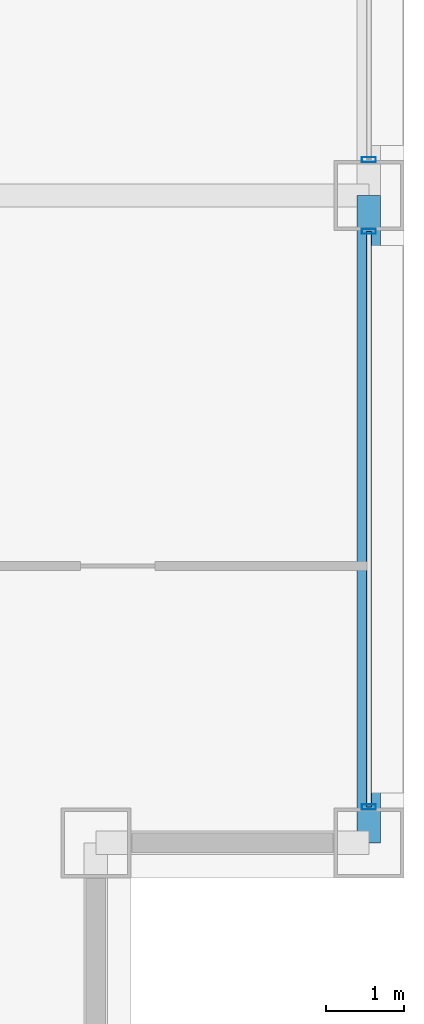
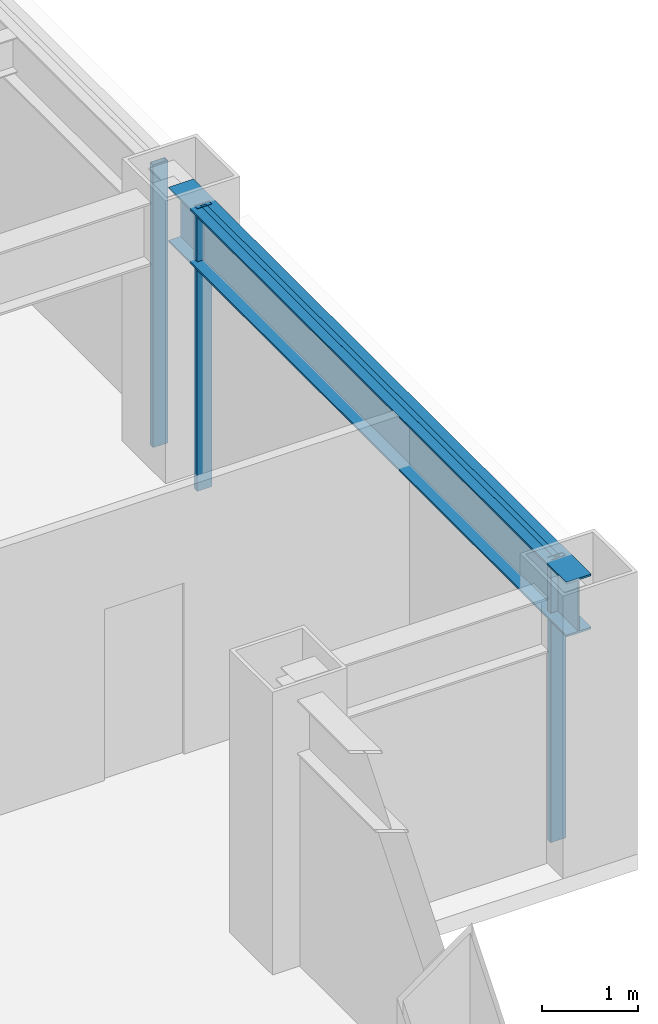
# One storey, part 12 of 30: 4 members, 1 beam, 2 elements without a shape of their own.
"""IFC4 building model written with IfcOpenShell, lengths in metres."""

from ifc_helpers import new_model, si_unit, direction, frame, origin, origin_2d, place, context, subcontext, project, spatial, hollow_rectangle, i_section, extrude, material, layer, layer_set, material_profile, profile_set, type_object, element, aggregate, save


model = new_model("IFC4")

# Units and contexts
model_context = context("Model", 3, precision=1e-05, world=origin(), true_north=direction((0.0, 1.0)))
body_context = subcontext(model_context, "Body", "Model", "MODEL_VIEW")
ifc_project = project(units=[si_unit("LENGTHUNIT", "METRE"), si_unit("AREAUNIT", "SQUARE_METRE"), si_unit("VOLUMEUNIT", "CUBIC_METRE"), si_unit("PLANEANGLEUNIT", "RADIAN"), si_unit("MASSUNIT", "GRAM", prefix="KILO")], contexts=[model_context])

# Site, building, storey
site_placement = place(None, origin())
site = spatial("IfcSite", under=ifc_project, at=site_placement, CompositionType="ELEMENT")
building_placement = place(site_placement, origin())
building = spatial("IfcBuilding", under=site, at=building_placement, Name="Brelmoor Portico Tower", CompositionType="ELEMENT")
storey_placement = place(building_placement, frame((0.0, 0.0, 74.39990234375)))
storey = spatial("IfcBuildingStorey", under=building, at=storey_placement, Name="L19", CompositionType="ELEMENT", Elevation=74.39990234375)

# Beam
ifc_material_1 = material(Name="Steel Q355B", Category="steel")
ifc_material_profile_1 = material_profile(ifc_material_1, i_section(OverallWidth=0.300048828125, OverallDepth=0.699951171875, WebThickness=0.012939453125, FlangeThickness=0.02392578125, at=origin_2d()), Name="HN 700x300x13x24")
ifc_profile_set_1 = profile_set([ifc_material_profile_1], Name="Steel Q355B")
beam_type = type_object("IfcBeamType", Name="BM-SP-700", PredefinedType="SPANDREL", material=ifc_profile_set_1)
beam_placement = place(storey_placement, frame((24.550048828125, -18.050048828125, 3.050048828125), z_axis=(0.0, 1.0, 0.0), x_axis=(-1.0, 0.0, 0.0)))
element("IfcBeam", 1, at=beam_placement, inside=storey, type_object=beam_type, Name="L19 Perimeter Spandrel Beam SP-22", PredefinedType="SPANDREL", context=body_context, shape_type="SweptSolid", body=[
    extrude(i_section(OverallWidth=0.300048828125, OverallDepth=0.699951171875, WebThickness=0.012939453125, FlangeThickness=0.02392578125, at=origin_2d()), origin(), (0.0, 0.0, 1.0), 8.300048828125),
])

# Curtain wall, members
ifc_material_2 = material(Name="Anodised Aluminium Alloy 6063-T6", Category="aluminium")
ifc_layer = layer(ifc_material_2, 0.179931640625)
ifc_layer_set = layer_set([ifc_layer], Name="Anodised Aluminium Alloy 6063-T6")
curtain_wall_type = type_object("IfcCurtainWallType", Name="CW-TOWER-Z1-XB", PredefinedType="NOTDEFINED", material=ifc_layer_set)
curtain_wall_1_placement = place(storey_placement, origin())
curtain_wall_1 = element("IfcCurtainWall", 2, at=curtain_wall_1_placement, inside=storey, type_object=curtain_wall_type, Name="L19 Curtain Wall CW-L19-04-1", PredefinedType="NOTDEFINED")
ifc_material_profile_2 = material_profile(ifc_material_2, hollow_rectangle(XDim=0.06494140625, YDim=0.179931640625, WallThickness=0.00390625, at=origin_2d()), Name="ALU MULLION 65x180")
ifc_profile_set_2 = profile_set([ifc_material_profile_2], Name="Anodised Aluminium Alloy 6063-T6")
member_type_1 = type_object("IfcMemberType", Name="MB-CW-MULL-180", PredefinedType="MULLION", material=ifc_profile_set_2)
member_1_placement = place(storey_placement, frame((24.550048828125, -17.590087890625, -0.199951171875), z_axis=(0.0, 0.0, 1.0), x_axis=(0.0, 1.0, 0.0)))
member_1 = element("IfcMember", 3, at=member_1_placement, type_object=member_type_1, Name="CW-L19-04-1 Mullion 00", PredefinedType="MULLION", context=body_context, shape_type="SweptSolid", body=[
    extrude(hollow_rectangle(XDim=0.06494140625, YDim=0.179931640625, WallThickness=0.00390625, at=origin_2d()), origin(), (0.0, 0.0, 1.0), 3.60009765625),
])
member_2_placement = place(storey_placement, frame((24.550048828125, -10.2099609375, -0.199951171875), z_axis=(0.0, 0.0, 1.0), x_axis=(0.0, 1.0, 0.0)))
member_2 = element("IfcMember", 4, at=member_2_placement, type_object=member_type_1, Name="CW-L19-04-1 Mullion 01", PredefinedType="MULLION", context=body_context, shape_type="SweptSolid", body=[
    extrude(hollow_rectangle(XDim=0.06494140625, YDim=0.179931640625, WallThickness=0.00390625, at=origin_2d()), origin(), (0.0, 0.0, 1.0), 3.60009765625),
])

# Curtain wall, member
curtain_wall_2_placement = place(storey_placement, origin())
curtain_wall_2 = element("IfcCurtainWall", 5, at=curtain_wall_2_placement, inside=storey, type_object=curtain_wall_type, Name="L19 Curtain Wall CW-L19-04-2", PredefinedType="NOTDEFINED")
member_3_placement = place(storey_placement, frame((24.550048828125, -9.2900390625, -0.199951171875), z_axis=(0.0, 0.0, 1.0), x_axis=(0.0, 1.0, 0.0)))
member_3 = element("IfcMember", 6, at=member_3_placement, type_object=member_type_1, Name="CW-L19-04-2 Mullion 00", PredefinedType="MULLION", context=body_context, shape_type="SweptSolid", body=[
    extrude(hollow_rectangle(XDim=0.06494140625, YDim=0.179931640625, WallThickness=0.00390625, at=origin_2d()), origin(), (0.0, 0.0, 1.0), 3.60009765625),
])
aggregate(curtain_wall_2, [member_3])

# Member
ifc_material_profile_3 = material_profile(ifc_material_2, hollow_rectangle(XDim=0.06494140625, YDim=0.139892578125, WallThickness=0.00390625, at=origin_2d()), Name="ALU TRANSOM 65x140")
ifc_profile_set_3 = profile_set([ifc_material_profile_3], Name="Anodised Aluminium Alloy 6063-T6")
member_type_2 = type_object("IfcMemberType", Name="MB-CW-TRAN-140", PredefinedType="USERDEFINED", material=ifc_profile_set_3)
member_4_placement = place(storey_placement, frame((24.550048828125, -17.590087890625, 3.330078125), z_axis=(0.0, 1.0, 0.0), x_axis=(-1.0, 0.0, 0.0)))
member_4 = element("IfcMember", 7, at=member_4_placement, type_object=member_type_2, Name="CW-L19-04-1 Transom 1-00", ObjectType="TRANSOM", PredefinedType="USERDEFINED", context=body_context, shape_type="SweptSolid", body=[
    extrude(hollow_rectangle(XDim=0.06494140625, YDim=0.139892578125, WallThickness=0.00390625, at=origin_2d()), origin(), (0.0, 0.0, 1.0), 7.380126953125),
])

aggregate(curtain_wall_1, [member_1, member_2, member_4])

save(model, "model.ifc")
